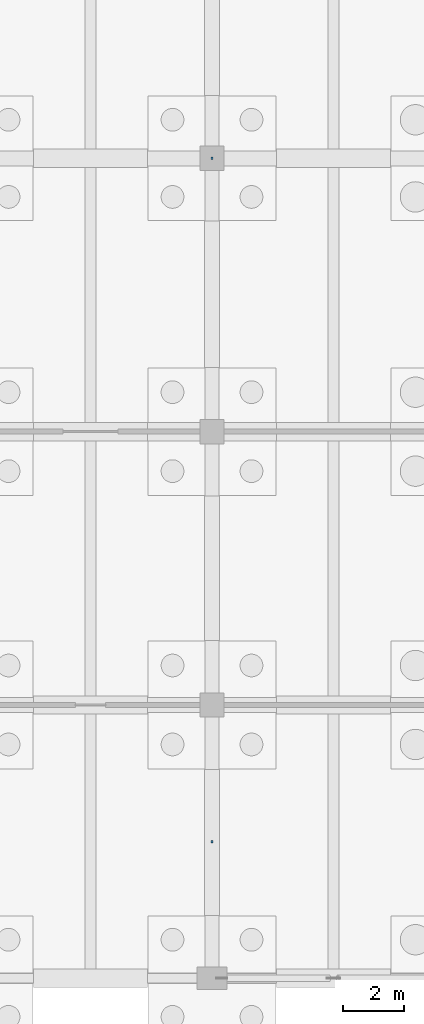
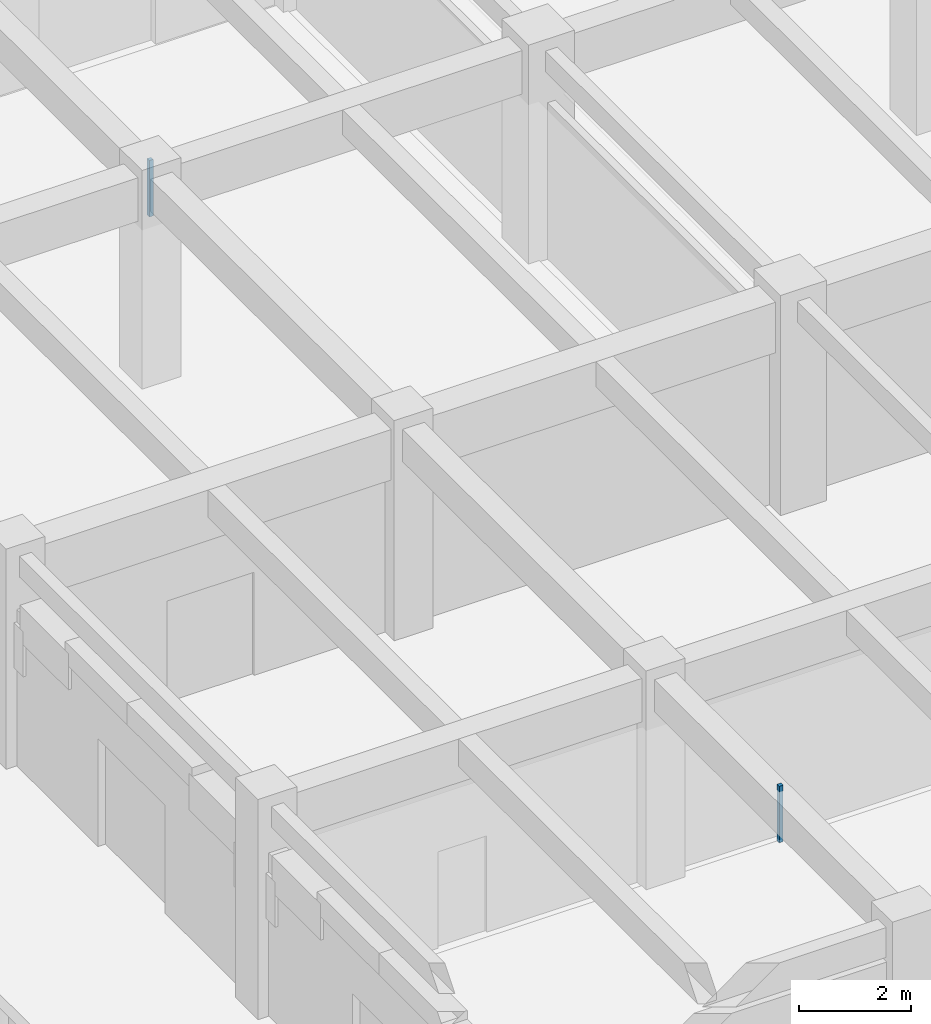
# One storey, part 115 of 147: 2 discrete accessories.
"""IFC4 building model written with IfcOpenShell, lengths in metres."""

from ifc_helpers import new_model, si_unit, direction, frame, origin, origin_2d, place, context, subcontext, project, spatial, rectangle, extrude, material, layer, layer_set, type_object, element, save


model = new_model("IFC4")

# Units and contexts
model_context = context("Model", 3, precision=1e-05, world=origin(), true_north=direction((0.0, 1.0)))
body_context = subcontext(model_context, "Body", "Model", "MODEL_VIEW")
ifc_project = project(units=[si_unit("LENGTHUNIT", "METRE"), si_unit("AREAUNIT", "SQUARE_METRE"), si_unit("VOLUMEUNIT", "CUBIC_METRE"), si_unit("PLANEANGLEUNIT", "RADIAN"), si_unit("MASSUNIT", "GRAM", prefix="KILO")], contexts=[model_context])

# Site, building, storey
site_placement = place(None, origin())
site = spatial("IfcSite", under=ifc_project, at=site_placement, CompositionType="ELEMENT")
building_placement = place(site_placement, origin())
building = spatial("IfcBuilding", under=site, at=building_placement, Name="Varnabhumi Central Station", CompositionType="ELEMENT")
storey_placement = place(building_placement, origin())
storey = spatial("IfcBuildingStorey", under=building, at=storey_placement, Name="L00", CompositionType="ELEMENT", Elevation=0.0)

# Discrete accessories
ifc_material = material(Name="Structural steel E350", Category="steel")
ifc_layer = layer(ifc_material, 0.159912109375, Name="Structural steel E350", Category="steel")
ifc_layer_set = layer_set([ifc_layer], Name="Structural steel E350")
discrete_accessory_type = type_object("IfcDiscreteAccessoryType", Name="ACC-SHADE-BRKT", PredefinedType="BRACKET", material=ifc_layer_set)
for number, where, z_axis, x_axis, name in (
    (1, (8.0, 27.0, 3.43994140625), (0.0, 0.0, 1.0), (1.0, 0.0, 0.0), "Forecourt Taxi and Bus Waiting Arcade Ceiling Hanger"),
    (2, (8.0, 4.5, 3.43994140625), (0.0, 0.0, 1.0), (1.0, 0.0, 0.0), "Railway Tourist Assistance and Security Desk Ceiling Hanger"),
):
    element("IfcDiscreteAccessory", number, at=place(storey_placement, frame(where, z_axis=z_axis, x_axis=x_axis)), inside=storey, type_object=discrete_accessory_type, Name=name, PredefinedType="BRACKET", context=body_context, shape_type="SweptSolid", body=[
        extrude(rectangle(XDim=0.080078125, YDim=0.080078125, at=origin_2d()), origin(), (0.0, 0.0, 1.0), 1.22998046875),
    ])

save(model, "model.ifc")
